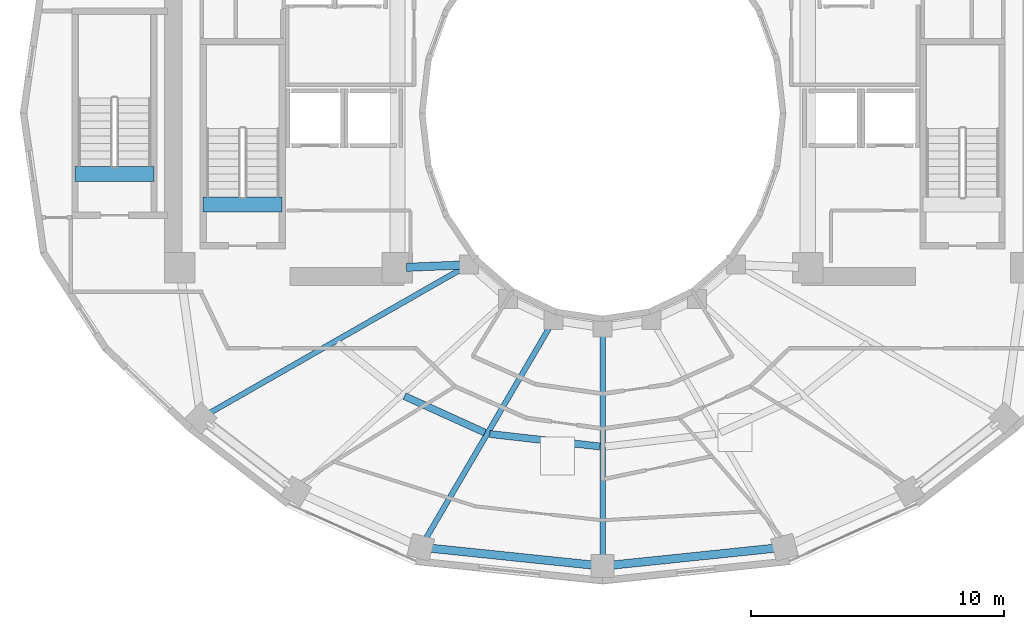
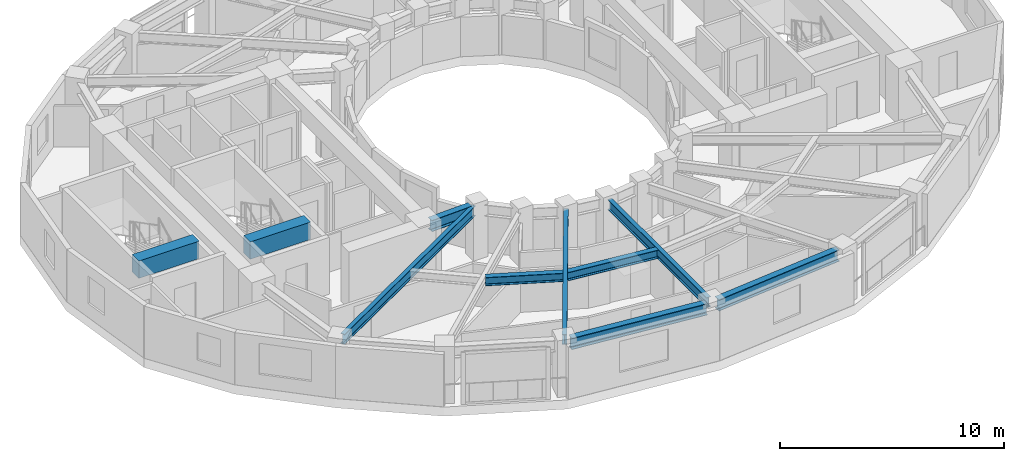
# One storey, part 3 of 17: 10 beams.
"""IFC4 building model written with IfcOpenShell, lengths in metres."""

from ifc_helpers import new_model, si_unit, direction, frame, origin, origin_2d, place, context, subcontext, project, spatial, rectangle, i_section, extrude, material, material_profile, profile_set, type_object, element, save


model = new_model("IFC4")

# Units and contexts
model_context = context("Model", 3, precision=1e-05, world=origin(), true_north=direction((0.0, 1.0)))
body_context = subcontext(model_context, "Body", "Model", "MODEL_VIEW")
ifc_project = project(units=[si_unit("LENGTHUNIT", "METRE"), si_unit("AREAUNIT", "SQUARE_METRE"), si_unit("VOLUMEUNIT", "CUBIC_METRE"), si_unit("PLANEANGLEUNIT", "RADIAN"), si_unit("MASSUNIT", "GRAM", prefix="KILO")], contexts=[model_context])

# Site, building, storey
site_placement = place(None, origin())
site = spatial("IfcSite", under=ifc_project, at=site_placement, CompositionType="ELEMENT")
building_placement = place(site_placement, origin())
building = spatial("IfcBuilding", under=site, at=building_placement, Name="Solvane Sanctuary Tower", CompositionType="ELEMENT")
storey_placement = place(building_placement, frame((0.0, 0.0, 171.5)))
storey = spatial("IfcBuildingStorey", under=building, at=storey_placement, Name="L52", CompositionType="ELEMENT", Elevation=171.5)

# Beams
ifc_material_1 = material(Name="Concrete C70/85", Category="concrete")
ifc_material_profile_1 = material_profile(ifc_material_1, rectangle(XDim=0.60009765625, YDim=0.949951171875, at=origin_2d()), Name="RC600X950")
ifc_profile_set_1 = profile_set([ifc_material_profile_1], Name="Concrete C70/85")
beam_type_1 = type_object("IfcBeamType", Name="Beam B-COUPLE RC600X950", PredefinedType="LINTEL", material=ifc_profile_set_1)
for number, where, z_axis, x_axis, name in (
    (1, (16.22998046875, 19.399169921875, 2.625), (1.0, 0.0, 0.0), (0.0, 1.0, 0.0), "L52 ST-1 Stair Floor Landing Trimmer"),
    (2, (11.169921875, 20.59912109375, 2.625), (1.0, 0.0, 0.0), (0.0, 1.0, 0.0), "L52 ST-3 Stair Floor Landing Trimmer"),
):
    element("IfcBeam", number, at=place(storey_placement, frame(where, z_axis=z_axis, x_axis=x_axis)), inside=storey, type_object=beam_type_1, Name=name, PredefinedType="LINTEL", context=body_context, shape_type="SweptSolid", body=[
        extrude(rectangle(XDim=0.60009765625, YDim=0.949951171875, at=origin_2d()), origin(), (0.0, 0.0, 1.0), 3.1201171875),
    ])
ifc_material_2 = material(Name="Steel ASTM A992 Grade 50", Category="steel")
ifc_material_profile_2 = material_profile(ifc_material_2, i_section(OverallWidth=0.214111328125, OverallDepth=0.549072265625, WebThickness=0.0146484375, FlangeThickness=0.023681640625, FilletRadius=0.014892578125, at=origin_2d()), Name="W21X93")
ifc_profile_set_2 = profile_set([ifc_material_profile_2], Name="Steel ASTM A992 Grade 50")
beam_type_2 = type_object("IfcBeamType", Name="Beam B-RAD-Z3 W21X93", PredefinedType="JOIST", material=ifc_profile_set_2)
beam_1_placement = place(storey_placement, frame((26.48193359375, 16.87890625, 2.603515625), z_axis=(-0.86816302692, -0.496279113694, 0.0), x_axis=(0.496279113694, -0.86816302692, 0.0)))
element("IfcBeam", 3, at=beam_1_placement, inside=storey, type_object=beam_type_2, Name="L52 Radial Composite Floor Beam 08", PredefinedType="JOIST", context=body_context, shape_type="SweptSolid", body=[
    extrude(i_section(OverallWidth=0.214111328125, OverallDepth=0.549072265625, WebThickness=0.0146484375, FlangeThickness=0.023681640625, FilletRadius=0.014892578125, at=origin_2d()), origin(), (0.0, 0.0, 1.0), 11.62841796875),
])
beam_2_placement = place(storey_placement, frame((29.927734375, 14.586669921875, 2.603515625), z_axis=(-0.505243742555, -0.862976686017, 0.0), x_axis=(0.862976686017, -0.505243742555, 0.0)))
element("IfcBeam", 4, at=beam_2_placement, inside=storey, type_object=beam_type_2, Name="L52 Radial Composite Floor Beam 10", PredefinedType="JOIST", context=body_context, shape_type="SweptSolid", body=[
    extrude(i_section(OverallWidth=0.214111328125, OverallDepth=0.549072265625, WebThickness=0.0146484375, FlangeThickness=0.023681640625, FilletRadius=0.014892578125, at=origin_2d()), origin(), (0.0, 0.0, 1.0), 9.826171875),
])
beam_3_placement = place(storey_placement, frame((32.0, 14.260009765625, 2.603515625), z_axis=(0.0, -1.0, 0.0), x_axis=(1.0, 0.0, 0.0)))
element("IfcBeam", 5, at=beam_3_placement, inside=storey, type_object=beam_type_2, Name="L52 Radial Composite Floor Beam 11", PredefinedType="JOIST", context=body_context, shape_type="SweptSolid", body=[
    extrude(i_section(OverallWidth=0.214111328125, OverallDepth=0.549072265625, WebThickness=0.0146484375, FlangeThickness=0.023681640625, FilletRadius=0.014892578125, at=origin_2d()), origin(), (0.0, 0.0, 1.0), 8.860107421875),
])
ifc_material_profile_3 = material_profile(ifc_material_2, i_section(OverallWidth=0.324951171875, OverallDepth=0.615966796875, WebThickness=0.013916015625, FlangeThickness=0.021484375, FilletRadius=0.01611328125, at=origin_2d()), Name="W24X117")
ifc_profile_set_3 = profile_set([ifc_material_profile_3], Name="Steel ASTM A992 Grade 50")
beam_type_3 = type_object("IfcBeamType", Name="Beam B-RING-IN2 W24X117", PredefinedType="BEAM", material=ifc_profile_set_3)
beam_4_placement = place(storey_placement, frame((24.259765625, 16.9150390625, 2.570068359375), z_axis=(0.999132674336, 0.041640113759, 0.0), x_axis=(-0.041640113759, 0.999132674336, 0.0)))
element("IfcBeam", 6, at=beam_4_placement, inside=storey, type_object=beam_type_3, Name="L52 Inner Light-Well Ring Beam CW2-IC08", PredefinedType="BEAM", context=body_context, shape_type="SweptSolid", body=[
    extrude(i_section(OverallWidth=0.324951171875, OverallDepth=0.615966796875, WebThickness=0.013916015625, FlangeThickness=0.021484375, FilletRadius=0.01611328125, at=origin_2d()), origin(), (0.0, 0.0, 1.0), 2.12255859375),
])
ifc_material_profile_4 = material_profile(ifc_material_2, i_section(OverallWidth=0.280029296875, OverallDepth=0.462890625, WebThickness=0.0107421875, FlangeThickness=0.017333984375, FilletRadius=0.013916015625, at=origin_2d()), Name="W18X76")
ifc_profile_set_4 = profile_set([ifc_material_profile_4], Name="Steel ASTM A992 Grade 50")
beam_type_4 = type_object("IfcBeamType", Name="Beam B-SEC-JOIST W18X76", PredefinedType="JOIST", material=ifc_profile_set_4)
beam_5_placement = place(storey_placement, frame((24.178955078125, 11.83056640625, 2.646484375), z_axis=(0.910462399508, -0.413591850842, 0.0), x_axis=(0.413591850842, 0.910462399508, 0.0)))
element("IfcBeam", 7, at=beam_5_placement, inside=storey, type_object=beam_type_4, Name="L52 Secondary Circumferential Joist 09-10", PredefinedType="JOIST", context=body_context, shape_type="SweptSolid", body=[
    extrude(i_section(OverallWidth=0.280029296875, OverallDepth=0.462890625, WebThickness=0.0107421875, FlangeThickness=0.017333984375, FilletRadius=0.013916015625, at=origin_2d()), origin(), (0.0, 0.0, 1.0), 3.485595703125),
])
beam_6_placement = place(storey_placement, frame((27.546875, 10.335205078125, 2.646484375), z_axis=(0.993627549834, -0.112713318696, 0.0), x_axis=(0.112713318696, 0.993627549834, 0.0)))
element("IfcBeam", 8, at=beam_6_placement, inside=storey, type_object=beam_type_4, Name="L52 Secondary Circumferential Joist 10-11", PredefinedType="JOIST", context=body_context, shape_type="SweptSolid", body=[
    extrude(i_section(OverallWidth=0.280029296875, OverallDepth=0.462890625, WebThickness=0.0107421875, FlangeThickness=0.017333984375, FilletRadius=0.013916015625, at=origin_2d()), origin(), (0.0, 0.0, 1.0), 4.379638671875),
])
ifc_material_profile_5 = material_profile(ifc_material_2, i_section(OverallWidth=0.327880859375, OverallDepth=0.6279296875, WebThickness=0.0166015625, FlangeThickness=0.027587890625, FilletRadius=0.01611328125, at=origin_2d()), Name="W24X146")
ifc_profile_set_5 = profile_set([ifc_material_profile_5], Name="Steel ASTM A992 Grade 50")
beam_type_5 = type_object("IfcBeamType", Name="Beam B-SPAND-Z3 W24X146", PredefinedType="SPANDREL", material=ifc_profile_set_5)
for number, where, z_axis, x_axis, name in (
    (9, (25.10009765625, 5.83642578125, 2.56396484375), (0.994652761118, -0.103275770632, 0.0), (0.103275770632, 0.994652761118, 0.0), "L52 Perimeter Spandrel Beam TC10-TC11"),
    (10, (32.278564453125, 5.14892578125, 2.56396484375), (0.994652761118, 0.103275770632, 0.0), (-0.103275770632, 0.994652761118, 0.0), "L52 Perimeter Spandrel Beam TC11-TC12"),
):
    element("IfcBeam", number, at=place(storey_placement, frame(where, z_axis=z_axis, x_axis=x_axis)), inside=storey, type_object=beam_type_5, Name=name, PredefinedType="SPANDREL", context=body_context, shape_type="SweptSolid", body=[
        extrude(i_section(OverallWidth=0.327880859375, OverallDepth=0.6279296875, WebThickness=0.0166015625, FlangeThickness=0.027587890625, FilletRadius=0.01611328125, at=origin_2d()), origin(), (0.0, 0.0, 1.0), 6.656982421875),
    ])

save(model, "model.ifc")
